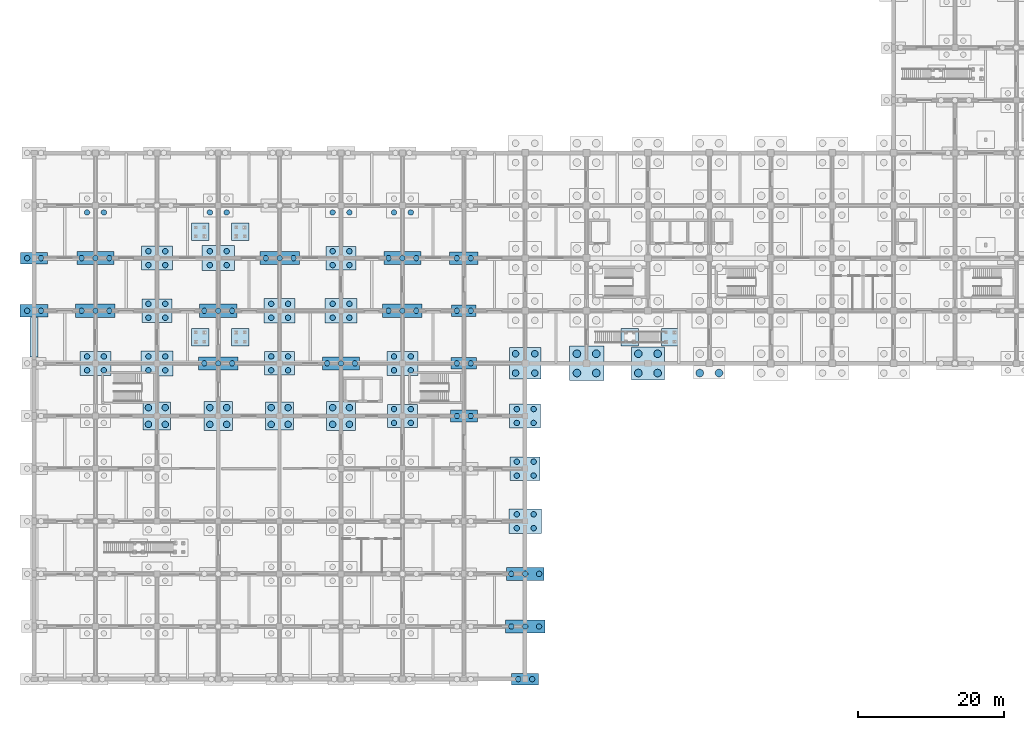
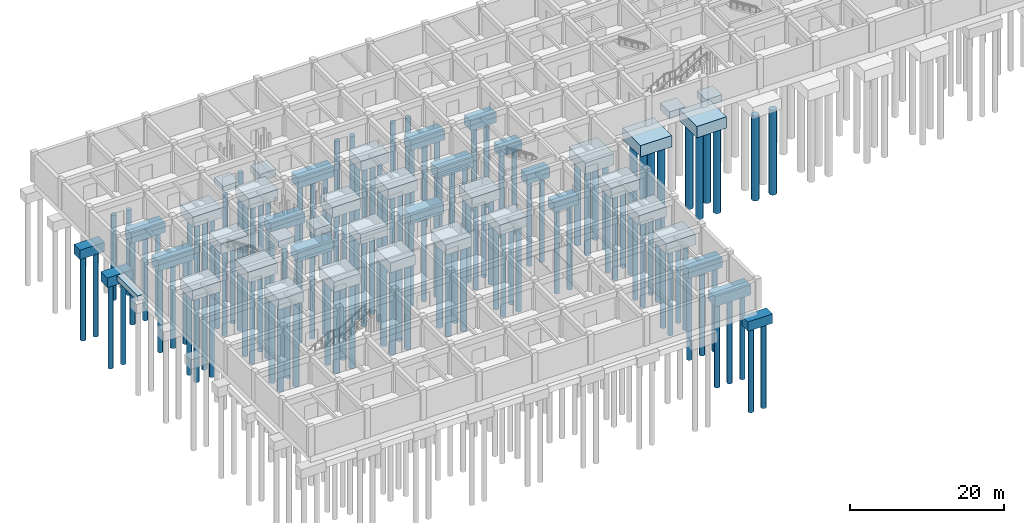
# One storey, part 2 of 38: 138 piles, 45 footings.
"""IFC4 building model written with IfcOpenShell, lengths in metres."""

from ifc_helpers import new_model, si_unit, derived_unit, direction, frame, origin, origin_2d, place, context, subcontext, project, spatial, rectangle, circle, extrude, material, material_profile, profile_set, type_object, element, save


model = new_model("IFC4")

# Units and contexts
model_context = context("Model", 3, precision=1e-05, world=origin(), true_north=direction((0.0, 1.0)))
body_context = subcontext(model_context, "Body", "Model", "MODEL_VIEW")
ifc_project = project(units=[si_unit("LENGTHUNIT", "METRE"), si_unit("AREAUNIT", "SQUARE_METRE"), si_unit("VOLUMEUNIT", "CUBIC_METRE"), si_unit("PLANEANGLEUNIT", "RADIAN"), si_unit("MASSUNIT", "GRAM", prefix="KILO"), derived_unit("THERMALTRANSMITTANCEUNIT", [(si_unit("MASSUNIT", "GRAM", prefix="KILO"), 1), (si_unit("TIMEUNIT", "SECOND"), -3), (si_unit("THERMODYNAMICTEMPERATUREUNIT", "KELVIN"), -1)])], contexts=[model_context])

# Site, building, storey
site_placement = place(None, origin())
site = spatial("IfcSite", under=ifc_project, at=site_placement, CompositionType="ELEMENT")
building_placement = place(site_placement, origin())
building = spatial("IfcBuilding", under=site, at=building_placement, Name="Veldstrom Oceanarium and Marine Research Institute", CompositionType="ELEMENT")
storey_placement = place(building_placement, frame((0.0, 0.0, -9.60009765625)))
storey = spatial("IfcBuildingStorey", under=building, at=storey_placement, Name="B02", CompositionType="ELEMENT", Elevation=-9.60009765625)

# Footings
ifc_material_1 = material(Name="Concrete C40/50", Category="concrete")
footing_type_1 = type_object("IfcFootingType", Name="STR-FTG-PC01", PredefinedType="PILE_CAP", material=ifc_material_1)
footing_1_placement = place(storey_placement, frame((75.60009765625, 43.199951171875, -3.0), z_axis=(0.0, 0.0, 1.0), x_axis=(1.0, 0.0, 0.0)))
element("IfcFooting", 1, at=footing_1_placement, inside=storey, type_object=footing_type_1, Name="Pile Cap PC01 10/G", PredefinedType="PILE_CAP", context=body_context, shape_type="SweptSolid", body=[
    extrude(rectangle(XDim=4.699951171875, YDim=4.699951171875, at=origin_2d()), origin(), (0.0, 0.0, 1.0), 1.800048828125),
])
ifc_material_2 = material(Name="Concrete C40/50", Category="concrete")
footing_type_2 = type_object("IfcFootingType", Name="STR-FTG-PC02", PredefinedType="PILE_CAP", material=ifc_material_2)
footing_2_placement = place(storey_placement, frame((84.0, 43.199951171875, -3.0), z_axis=(0.0, 0.0, 1.0), x_axis=(1.0, 0.0, 0.0)))
element("IfcFooting", 2, at=footing_2_placement, inside=storey, type_object=footing_type_2, Name="Pile Cap PC02 11/G", PredefinedType="PILE_CAP", context=body_context, shape_type="SweptSolid", body=[
    extrude(rectangle(XDim=4.5, YDim=4.5, at=origin_2d()), origin(), (0.0, 0.0, 1.0), 1.800048828125),
])
ifc_material_3 = material(Name="Concrete C40/50", Category="concrete")
footing_type_3 = type_object("IfcFootingType", Name="STR-FTG-PC03", PredefinedType="PILE_CAP", material=ifc_material_3)
footing_3_placement = place(storey_placement, frame((67.199951171875, 43.199951171875, -3.0), z_axis=(0.0, 0.0, 1.0), x_axis=(1.0, 0.0, 0.0)))
element("IfcFooting", 3, at=footing_3_placement, inside=storey, type_object=footing_type_3, Name="Pile Cap PC03 9/G", PredefinedType="PILE_CAP", context=body_context, shape_type="SweptSolid", body=[
    extrude(rectangle(XDim=4.300048828125, YDim=4.300048828125, at=origin_2d()), origin(), (0.0, 0.0, 1.0), 1.800048828125),
])
ifc_material_4 = material(Name="Concrete C40/50", Category="concrete")
footing_type_4 = type_object("IfcFootingType", Name="STR-FTG-PC04", PredefinedType="PILE_CAP", material=ifc_material_4)
for number, where, z_axis, x_axis, name in (
    (4, (25.199951171875, 36.0, -2.849853515625), (0.0, 0.0, 1.0), (1.0, 0.0, 0.0), "Pile Cap PC04 4/F"),
    (5, (42.0, 36.0, -2.849853515625), (0.0, 0.0, 1.0), (1.0, 0.0, 0.0), "Pile Cap PC04 6/F"),
):
    element("IfcFooting", number, at=place(storey_placement, frame(where, z_axis=z_axis, x_axis=x_axis)), inside=storey, type_object=footing_type_4, Name=name, PredefinedType="PILE_CAP", context=body_context, shape_type="SweptSolid", body=[
        extrude(rectangle(XDim=3.949951171875, YDim=3.949951171875, at=origin_2d()), origin(), (0.0, 0.0, 1.0), 1.64990234375),
    ])
ifc_material_5 = material(Name="Concrete C40/50", Category="concrete")
footing_type_5 = type_object("IfcFootingType", Name="STR-FTG-PC05", PredefinedType="PILE_CAP", material=ifc_material_5)
for number, where, z_axis, x_axis, name in (
    (6, (16.800048828125, 36.0, -2.800048828125), (0.0, 0.0, 1.0), (1.0, 0.0, 0.0), "Pile Cap PC05 3/F"),
    (7, (33.60009765625, 36.0, -2.800048828125), (0.0, 0.0, 1.0), (1.0, 0.0, 0.0), "Pile Cap PC05 5/F"),
):
    element("IfcFooting", number, at=place(storey_placement, frame(where, z_axis=z_axis, x_axis=x_axis)), inside=storey, type_object=footing_type_5, Name=name, PredefinedType="PILE_CAP", context=body_context, shape_type="SweptSolid", body=[
        extrude(rectangle(XDim=3.800048828125, YDim=3.800048828125, at=origin_2d()), origin(), (0.0, 0.0, 1.0), 1.60009765625),
    ])
ifc_material_6 = material(Name="Concrete C40/50", Category="concrete")
footing_type_6 = type_object("IfcFootingType", Name="STR-FTG-PC06", PredefinedType="PILE_CAP", material=ifc_material_6)
for number, where, z_axis, x_axis, name in (
    (8, (8.39990234375, 50.39990234375, -2.800048828125), (0.0, 0.0, 1.0), (1.0, 0.0, 0.0), "Pile Cap PC06 2/H"),
    (9, (25.199951171875, 43.199951171875, -2.800048828125), (0.0, 0.0, 1.0), (1.0, 0.0, 0.0), "Pile Cap PC06 4/G"),
    (10, (33.60009765625, 57.60009765625, -2.800048828125), (0.0, 0.0, 1.0), (1.0, 0.0, 0.0), "Pile Cap PC06 5/J"),
    (11, (50.39990234375, 50.39990234375, -2.800048828125), (0.0, 0.0, 1.0), (1.0, 0.0, 0.0), "Pile Cap PC06 7/H"),
    (12, (67.199951171875, 7.199951171875, -2.800048828125), (0.0, 0.0, 1.0), (1.0, 0.0, 0.0), "Pile Cap PC06 9/B"),
):
    element("IfcFooting", number, at=place(storey_placement, frame(where, z_axis=z_axis, x_axis=x_axis)), inside=storey, type_object=footing_type_6, Name=name, PredefinedType="PILE_CAP", context=body_context, shape_type="SweptSolid", body=[
        extrude(rectangle(XDim=5.39990234375, YDim=1.800048828125, at=origin_2d()), origin(), (0.0, 0.0, 1.0), 1.60009765625),
    ])
ifc_material_7 = material(Name="Concrete C40/50", Category="concrete")
footing_type_7 = type_object("IfcFootingType", Name="STR-FTG-PC07", PredefinedType="PILE_CAP", material=ifc_material_7)
for number, where, z_axis, x_axis, name in (
    (13, (8.39990234375, 57.60009765625, -2.75), (0.0, 0.0, 1.0), (1.0, 0.0, 0.0), "Pile Cap PC07 2/J"),
    (14, (25.199951171875, 50.39990234375, -2.75), (0.0, 0.0, 1.0), (1.0, 0.0, 0.0), "Pile Cap PC07 4/H"),
    (15, (42.0, 43.199951171875, -2.75), (0.0, 0.0, 1.0), (1.0, 0.0, 0.0), "Pile Cap PC07 6/G"),
    (16, (50.39990234375, 57.60009765625, -2.75), (0.0, 0.0, 1.0), (1.0, 0.0, 0.0), "Pile Cap PC07 7/J"),
    (17, (67.199951171875, 14.39990234375, -2.75), (0.0, 0.0, 1.0), (1.0, 0.0, 0.0), "Pile Cap PC07 9/C"),
):
    element("IfcFooting", number, at=place(storey_placement, frame(where, z_axis=z_axis, x_axis=x_axis)), inside=storey, type_object=footing_type_7, Name=name, PredefinedType="PILE_CAP", context=body_context, shape_type="SweptSolid", body=[
        extrude(rectangle(XDim=5.10009765625, YDim=1.800048828125, at=origin_2d()), origin(), (0.0, 0.0, 1.0), 1.550048828125),
    ])
ifc_material_8 = material(Name="Concrete C40/50", Category="concrete")
footing_type_8 = type_object("IfcFootingType", Name="STR-FTG-PC08", PredefinedType="PILE_CAP", material=ifc_material_8)
for number, where, z_axis, x_axis, name in (
    (18, (0.0, 57.60009765625, -2.699951171875), (0.0, 0.0, 1.0), (1.0, 0.0, 0.0), "Pile Cap PC08 1/J"),
    (19, (58.800048828125, 36.0, -2.699951171875), (0.0, 0.0, 1.0), (1.0, 0.0, 0.0), "Pile Cap PC08 8/F"),
    (20, (67.199951171875, 0.0, -2.699951171875), (0.0, 0.0, 1.0), (1.0, 0.0, 0.0), "Pile Cap PC08 9/A"),
):
    element("IfcFooting", number, at=place(storey_placement, frame(where, z_axis=z_axis, x_axis=x_axis)), inside=storey, type_object=footing_type_8, Name=name, PredefinedType="PILE_CAP", context=body_context, shape_type="SweptSolid", body=[
        extrude(rectangle(XDim=3.699951171875, YDim=1.60009765625, at=origin_2d()), origin(), (0.0, 0.0, 1.0), 1.5),
    ])
ifc_material_9 = material(Name="Concrete C40/50", Category="concrete")
footing_type_9 = type_object("IfcFootingType", Name="STR-FTG-PC09", PredefinedType="PILE_CAP", material=ifc_material_9)
footing_4_placement = place(storey_placement, frame((58.800048828125, 43.199951171875, -2.699951171875), z_axis=(0.0, 0.0, 1.0), x_axis=(1.0, 0.0, 0.0)))
element("IfcFooting", 21, at=footing_4_placement, inside=storey, type_object=footing_type_9, Name="Pile Cap PC09 8/G", PredefinedType="PILE_CAP", context=body_context, shape_type="SweptSolid", body=[
    extrude(rectangle(XDim=3.5, YDim=1.60009765625, at=origin_2d()), origin(), (0.0, 0.0, 1.0), 1.5),
])
ifc_material_10 = material(Name="Concrete C40/50", Category="concrete")
footing_type_10 = type_object("IfcFootingType", Name="STR-FTG-PC10", PredefinedType="PILE_CAP", material=ifc_material_10)
footing_5_placement = place(storey_placement, frame((58.800048828125, 50.39990234375, -2.64990234375), z_axis=(0.0, 0.0, 1.0), x_axis=(1.0, 0.0, 0.0)))
element("IfcFooting", 22, at=footing_5_placement, inside=storey, type_object=footing_type_10, Name="Pile Cap PC10 8/H", PredefinedType="PILE_CAP", context=body_context, shape_type="SweptSolid", body=[
    extrude(rectangle(XDim=3.300048828125, YDim=1.60009765625, at=origin_2d()), origin(), (0.0, 0.0, 1.0), 1.449951171875),
])
ifc_material_11 = material(Name="Concrete C40/50", Category="concrete")
footing_type_11 = type_object("IfcFootingType", Name="STR-FTG-PC11", PredefinedType="PILE_CAP", material=ifc_material_11)
for number, where, z_axis, x_axis, name in (
    (23, (16.800048828125, 43.199951171875, -2.89990234375), (0.0, 0.0, 1.0), (1.0, 0.0, 0.0), "Pile Cap PC11 3/G"),
    (24, (25.199951171875, 57.60009765625, -2.89990234375), (0.0, 0.0, 1.0), (1.0, 0.0, 0.0), "Pile Cap PC11 4/J"),
    (25, (42.0, 50.39990234375, -2.89990234375), (0.0, 0.0, 1.0), (1.0, 0.0, 0.0), "Pile Cap PC11 6/H"),
    (26, (67.199951171875, 21.60009765625, -2.89990234375), (0.0, 0.0, 1.0), (1.0, 0.0, 0.0), "Pile Cap PC11 9/D"),
):
    element("IfcFooting", number, at=place(storey_placement, frame(where, z_axis=z_axis, x_axis=x_axis)), inside=storey, type_object=footing_type_11, Name=name, PredefinedType="PILE_CAP", context=body_context, shape_type="SweptSolid", body=[
        extrude(rectangle(XDim=4.39990234375, YDim=3.39990234375, at=origin_2d()), origin(), (0.0, 0.0, 1.0), 1.699951171875),
    ])
ifc_material_12 = material(Name="Concrete C40/50", Category="concrete")
footing_type_12 = type_object("IfcFootingType", Name="STR-FTG-PC12", PredefinedType="PILE_CAP", material=ifc_material_12)
for number, where, z_axis, x_axis, name in (
    (27, (16.800048828125, 50.39990234375, -2.800048828125), (0.0, 0.0, 1.0), (1.0, 0.0, 0.0), "Pile Cap PC12 3/H"),
    (28, (33.60009765625, 43.199951171875, -2.800048828125), (0.0, 0.0, 1.0), (1.0, 0.0, 0.0), "Pile Cap PC12 5/G"),
    (29, (42.0, 57.60009765625, -2.800048828125), (0.0, 0.0, 1.0), (1.0, 0.0, 0.0), "Pile Cap PC12 6/J"),
    (30, (50.39990234375, 36.0, -2.800048828125), (0.0, 0.0, 1.0), (1.0, 0.0, 0.0), "Pile Cap PC12 7/F"),
    (31, (67.199951171875, 28.800048828125, -2.800048828125), (0.0, 0.0, 1.0), (1.0, 0.0, 0.0), "Pile Cap PC12 9/E"),
):
    element("IfcFooting", number, at=place(storey_placement, frame(where, z_axis=z_axis, x_axis=x_axis)), inside=storey, type_object=footing_type_12, Name=name, PredefinedType="PILE_CAP", context=body_context, shape_type="SweptSolid", body=[
        extrude(rectangle(XDim=4.10009765625, YDim=3.199951171875, at=origin_2d()), origin(), (0.0, 0.0, 1.0), 1.60009765625),
    ])
ifc_material_13 = material(Name="Concrete C40/50", Category="concrete")
footing_type_13 = type_object("IfcFootingType", Name="STR-FTG-PC13", PredefinedType="PILE_CAP", material=ifc_material_13)
for number, where, z_axis, x_axis, name in (
    (32, (8.39990234375, 43.199951171875, -2.849853515625), (0.0, 0.0, 1.0), (1.0, 0.0, 0.0), "Pile Cap PC13 2/G"),
    (33, (16.800048828125, 57.60009765625, -2.849853515625), (0.0, 0.0, 1.0), (1.0, 0.0, 0.0), "Pile Cap PC13 3/J"),
    (34, (33.60009765625, 50.39990234375, -2.849853515625), (0.0, 0.0, 1.0), (1.0, 0.0, 0.0), "Pile Cap PC13 5/H"),
    (35, (50.39990234375, 43.199951171875, -2.849853515625), (0.0, 0.0, 1.0), (1.0, 0.0, 0.0), "Pile Cap PC13 7/G"),
    (36, (67.199951171875, 36.0, -2.849853515625), (0.0, 0.0, 1.0), (1.0, 0.0, 0.0), "Pile Cap PC13 9/F"),
):
    element("IfcFooting", number, at=place(storey_placement, frame(where, z_axis=z_axis, x_axis=x_axis)), inside=storey, type_object=footing_type_13, Name=name, PredefinedType="PILE_CAP", context=body_context, shape_type="SweptSolid", body=[
        extrude(rectangle(XDim=4.25, YDim=3.300048828125, at=origin_2d()), origin(), (0.0, 0.0, 1.0), 1.64990234375),
    ])
ifc_material_14 = material(Name="Concrete C40/50", Category="concrete")
footing_type_14 = type_object("IfcFootingType", Name="STR-FTG-PC14", PredefinedType="PILE_CAP", material=ifc_material_14)
for number, where, z_axis, x_axis, name in (
    (37, (0.0, 50.39990234375, -2.75), (0.0, 0.0, 1.0), (1.0, 0.0, 0.0), "Pile Cap PC14 1/H"),
    (38, (58.800048828125, 57.60009765625, -2.75), (0.0, 0.0, 1.0), (1.0, 0.0, 0.0), "Pile Cap PC14 8/J"),
):
    element("IfcFooting", number, at=place(storey_placement, frame(where, z_axis=z_axis, x_axis=x_axis)), inside=storey, type_object=footing_type_14, Name=name, PredefinedType="PILE_CAP", context=body_context, shape_type="SweptSolid", body=[
        extrude(rectangle(XDim=3.85009765625, YDim=1.699951171875, at=origin_2d()), origin(), (0.0, 0.0, 1.0), 1.550048828125),
    ])
ifc_material_15 = material(Name="Concrete C40/50", Category="concrete")
footing_type_15 = type_object("IfcFootingType", Name="STR-FTG-PF01", PredefinedType="PAD_FOOTING", material=ifc_material_15)
for number, where, z_axis, x_axis, name in (
    (39, (81.52001953125, 46.800048828125, -2.300048828125), (0.0, 0.0, 1.0), (1.0, 0.0, 0.0), "Gallery Stair MID Footing PF01-GS2"),
    (40, (87.0400390625, 46.800048828125, -2.300048828125), (0.0, 0.0, 1.0), (1.0, 0.0, 0.0), "Gallery Stair TOP Footing PF01-GS2"),
    (41, (22.719970703125, 46.800048828125, -2.300048828125), (0.0, 0.0, 1.0), (1.0, 0.0, 0.0), "Gallery Stair MID Footing PF01-GS4"),
    (42, (28.239990234375, 46.800048828125, -2.300048828125), (0.0, 0.0, 1.0), (1.0, 0.0, 0.0), "Gallery Stair TOP Footing PF01-GS4"),
    (43, (22.719970703125, 61.199951171875, -2.300048828125), (0.0, 0.0, 1.0), (1.0, 0.0, 0.0), "Gallery Stair MID Footing PF01-GS5"),
    (44, (28.239990234375, 61.199951171875, -2.300048828125), (0.0, 0.0, 1.0), (1.0, 0.0, 0.0), "Gallery Stair TOP Footing PF01-GS5"),
):
    element("IfcFooting", number, at=place(storey_placement, frame(where, z_axis=z_axis, x_axis=x_axis)), inside=storey, type_object=footing_type_15, Name=name, PredefinedType="PAD_FOOTING", context=body_context, shape_type="SweptSolid", body=[
        extrude(rectangle(XDim=2.39990234375, YDim=2.39990234375, at=origin_2d()), origin(), (0.0, 0.0, 1.0), 1.10009765625),
    ])
ifc_material_16 = material(Name="Concrete C40/50", Category="concrete")
footing_type_16 = type_object("IfcFootingType", Name="STR-FTG-SF04", PredefinedType="STRIP_FOOTING", material=ifc_material_16)
footing_6_placement = place(storey_placement, frame((0.0, 46.77490234375, -2.050048828125), z_axis=(0.0, 0.0, 1.0), x_axis=(0.0, 1.0, 0.0)))
element("IfcFooting", 45, at=footing_6_placement, inside=storey, type_object=footing_type_16, Name="Continuous Wall Strip Footing SF04-16", PredefinedType="STRIP_FOOTING", context=body_context, shape_type="SweptSolid", body=[
    extrude(rectangle(XDim=5.429931640625, YDim=1.10009765625, at=origin_2d()), origin(), (0.0, 0.0, 1.0), 0.85009765625),
])

# Piles
ifc_material_17 = material(Name="Concrete C40/50", Category="concrete")
ifc_material_profile_1 = material_profile(ifc_material_17, circle(Radius=0.375, at=origin_2d()), Name="PILE-D750")
ifc_profile_set_1 = profile_set([ifc_material_profile_1], Name="Concrete C40/50")
pile_type_1 = type_object("IfcPileType", Name="STR-PILE-PL1", PredefinedType="BORED", material=ifc_profile_set_1)
for number, where, z_axis, x_axis, name in (
    (46, (-0.949951171875, 50.39990234375, -2.75), (0.0, 0.0, -1.0), (1.0, 0.0, 0.0), "Bored Pile PL1-015"),
    (47, (0.949951171875, 50.39990234375, -2.75), (0.0, 0.0, -1.0), (1.0, 0.0, 0.0), "Bored Pile PL1-016"),
    (48, (-0.949951171875, 57.60009765625, -2.699951171875), (0.0, 0.0, -1.0), (1.0, 0.0, 0.0), "Bored Pile PL1-017"),
    (49, (0.949951171875, 57.60009765625, -2.699951171875), (0.0, 0.0, -1.0), (1.0, 0.0, 0.0), "Bored Pile PL1-018"),
    (50, (7.25, 42.25, -2.849853515625), (0.0, 0.0, -1.0), (1.0, 0.0, 0.0), "Bored Pile PL1-043"),
    (51, (9.550048828125, 42.25, -2.849853515625), (0.0, 0.0, -1.0), (1.0, 0.0, 0.0), "Bored Pile PL1-044"),
    (52, (7.25, 44.14990234375, -2.849853515625), (0.0, 0.0, -1.0), (1.0, 0.0, 0.0), "Bored Pile PL1-045"),
    (53, (9.550048828125, 44.14990234375, -2.849853515625), (0.0, 0.0, -1.0), (1.0, 0.0, 0.0), "Bored Pile PL1-046"),
    (54, (6.5, 50.39990234375, -2.7998046875), (0.0, 0.0, -1.0), (1.0, 0.0, 0.0), "Bored Pile PL1-047"),
    (55, (8.39990234375, 50.39990234375, -2.7998046875), (0.0, 0.0, -1.0), (1.0, 0.0, 0.0), "Bored Pile PL1-048"),
    (56, (10.300048828125, 50.39990234375, -2.7998046875), (0.0, 0.0, -1.0), (1.0, 0.0, 0.0), "Bored Pile PL1-049"),
    (57, (6.5, 57.60009765625, -2.75), (0.0, 0.0, -1.0), (1.0, 0.0, 0.0), "Bored Pile PL1-050"),
    (58, (8.39990234375, 57.60009765625, -2.75), (0.0, 0.0, -1.0), (1.0, 0.0, 0.0), "Bored Pile PL1-051"),
    (59, (10.300048828125, 57.60009765625, -2.75), (0.0, 0.0, -1.0), (1.0, 0.0, 0.0), "Bored Pile PL1-052"),
    (60, (7.25, 63.85009765625, -2.89990234375), (0.0, 0.0, -1.0), (1.0, 0.0, 0.0), "Bored Pile PL1-053"),
    (61, (9.550048828125, 63.85009765625, -2.89990234375), (0.0, 0.0, -1.0), (1.0, 0.0, 0.0), "Bored Pile PL1-054"),
    (62, (15.64990234375, 42.25, -2.89990234375), (0.0, 0.0, -1.0), (1.0, 0.0, 0.0), "Bored Pile PL1-081"),
    (63, (17.949951171875, 42.25, -2.89990234375), (0.0, 0.0, -1.0), (1.0, 0.0, 0.0), "Bored Pile PL1-082"),
    (64, (15.64990234375, 44.14990234375, -2.89990234375), (0.0, 0.0, -1.0), (1.0, 0.0, 0.0), "Bored Pile PL1-083"),
    (65, (17.949951171875, 44.14990234375, -2.89990234375), (0.0, 0.0, -1.0), (1.0, 0.0, 0.0), "Bored Pile PL1-084"),
    (66, (15.64990234375, 49.449951171875, -2.7998046875), (0.0, 0.0, -1.0), (1.0, 0.0, 0.0), "Bored Pile PL1-085"),
    (67, (17.949951171875, 49.449951171875, -2.7998046875), (0.0, 0.0, -1.0), (1.0, 0.0, 0.0), "Bored Pile PL1-086"),
    (68, (15.64990234375, 51.35009765625, -2.7998046875), (0.0, 0.0, -1.0), (1.0, 0.0, 0.0), "Bored Pile PL1-087"),
    (69, (17.949951171875, 51.35009765625, -2.7998046875), (0.0, 0.0, -1.0), (1.0, 0.0, 0.0), "Bored Pile PL1-088"),
    (70, (15.64990234375, 56.64990234375, -2.849853515625), (0.0, 0.0, -1.0), (1.0, 0.0, 0.0), "Bored Pile PL1-089"),
    (71, (17.949951171875, 56.64990234375, -2.849853515625), (0.0, 0.0, -1.0), (1.0, 0.0, 0.0), "Bored Pile PL1-090"),
    (72, (15.64990234375, 58.550048828125, -2.849853515625), (0.0, 0.0, -1.0), (1.0, 0.0, 0.0), "Bored Pile PL1-091"),
    (73, (17.949951171875, 58.550048828125, -2.849853515625), (0.0, 0.0, -1.0), (1.0, 0.0, 0.0), "Bored Pile PL1-092"),
    (74, (23.300048828125, 43.199951171875, -2.7998046875), (0.0, 0.0, -1.0), (1.0, 0.0, 0.0), "Bored Pile PL1-114"),
    (75, (25.199951171875, 43.199951171875, -2.7998046875), (0.0, 0.0, -1.0), (1.0, 0.0, 0.0), "Bored Pile PL1-115"),
    (76, (27.10009765625, 43.199951171875, -2.7998046875), (0.0, 0.0, -1.0), (1.0, 0.0, 0.0), "Bored Pile PL1-116"),
    (77, (23.300048828125, 50.39990234375, -2.75), (0.0, 0.0, -1.0), (1.0, 0.0, 0.0), "Bored Pile PL1-117"),
    (78, (25.199951171875, 50.39990234375, -2.75), (0.0, 0.0, -1.0), (1.0, 0.0, 0.0), "Bored Pile PL1-118"),
    (79, (27.10009765625, 50.39990234375, -2.75), (0.0, 0.0, -1.0), (1.0, 0.0, 0.0), "Bored Pile PL1-119"),
    (80, (24.050048828125, 56.64990234375, -2.89990234375), (0.0, 0.0, -1.0), (1.0, 0.0, 0.0), "Bored Pile PL1-120"),
    (81, (26.35009765625, 56.64990234375, -2.89990234375), (0.0, 0.0, -1.0), (1.0, 0.0, 0.0), "Bored Pile PL1-121"),
    (82, (24.050048828125, 58.550048828125, -2.89990234375), (0.0, 0.0, -1.0), (1.0, 0.0, 0.0), "Bored Pile PL1-122"),
    (83, (26.35009765625, 58.550048828125, -2.89990234375), (0.0, 0.0, -1.0), (1.0, 0.0, 0.0), "Bored Pile PL1-123"),
    (84, (24.050048828125, 63.85009765625, -2.7998046875), (0.0, 0.0, -1.0), (1.0, 0.0, 0.0), "Bored Pile PL1-124"),
    (85, (26.35009765625, 63.85009765625, -2.7998046875), (0.0, 0.0, -1.0), (1.0, 0.0, 0.0), "Bored Pile PL1-125"),
    (86, (32.449951171875, 42.25, -2.7998046875), (0.0, 0.0, -1.0), (1.0, 0.0, 0.0), "Bored Pile PL1-148"),
    (87, (34.75, 42.25, -2.7998046875), (0.0, 0.0, -1.0), (1.0, 0.0, 0.0), "Bored Pile PL1-149"),
    (88, (32.449951171875, 44.14990234375, -2.7998046875), (0.0, 0.0, -1.0), (1.0, 0.0, 0.0), "Bored Pile PL1-150"),
    (89, (34.75, 44.14990234375, -2.7998046875), (0.0, 0.0, -1.0), (1.0, 0.0, 0.0), "Bored Pile PL1-151"),
    (90, (32.449951171875, 49.449951171875, -2.849853515625), (0.0, 0.0, -1.0), (1.0, 0.0, 0.0), "Bored Pile PL1-152"),
    (91, (34.75, 49.449951171875, -2.849853515625), (0.0, 0.0, -1.0), (1.0, 0.0, 0.0), "Bored Pile PL1-153"),
    (92, (32.449951171875, 51.35009765625, -2.849853515625), (0.0, 0.0, -1.0), (1.0, 0.0, 0.0), "Bored Pile PL1-154"),
    (93, (34.75, 51.35009765625, -2.849853515625), (0.0, 0.0, -1.0), (1.0, 0.0, 0.0), "Bored Pile PL1-155"),
    (94, (31.699951171875, 57.60009765625, -2.7998046875), (0.0, 0.0, -1.0), (1.0, 0.0, 0.0), "Bored Pile PL1-156"),
    (95, (33.60009765625, 57.60009765625, -2.7998046875), (0.0, 0.0, -1.0), (1.0, 0.0, 0.0), "Bored Pile PL1-157"),
    (96, (35.5, 57.60009765625, -2.7998046875), (0.0, 0.0, -1.0), (1.0, 0.0, 0.0), "Bored Pile PL1-158"),
    (97, (40.10009765625, 43.199951171875, -2.75), (0.0, 0.0, -1.0), (1.0, 0.0, 0.0), "Bored Pile PL1-185"),
    (98, (42.0, 43.199951171875, -2.75), (0.0, 0.0, -1.0), (1.0, 0.0, 0.0), "Bored Pile PL1-186"),
    (99, (43.89990234375, 43.199951171875, -2.75), (0.0, 0.0, -1.0), (1.0, 0.0, 0.0), "Bored Pile PL1-187"),
    (100, (40.85009765625, 49.449951171875, -2.89990234375), (0.0, 0.0, -1.0), (1.0, 0.0, 0.0), "Bored Pile PL1-188"),
    (101, (43.14990234375, 49.449951171875, -2.89990234375), (0.0, 0.0, -1.0), (1.0, 0.0, 0.0), "Bored Pile PL1-189"),
    (102, (40.85009765625, 51.35009765625, -2.89990234375), (0.0, 0.0, -1.0), (1.0, 0.0, 0.0), "Bored Pile PL1-190"),
    (103, (43.14990234375, 51.35009765625, -2.89990234375), (0.0, 0.0, -1.0), (1.0, 0.0, 0.0), "Bored Pile PL1-191"),
    (104, (40.85009765625, 56.64990234375, -2.7998046875), (0.0, 0.0, -1.0), (1.0, 0.0, 0.0), "Bored Pile PL1-192"),
    (105, (43.14990234375, 56.64990234375, -2.7998046875), (0.0, 0.0, -1.0), (1.0, 0.0, 0.0), "Bored Pile PL1-193"),
    (106, (40.85009765625, 58.550048828125, -2.7998046875), (0.0, 0.0, -1.0), (1.0, 0.0, 0.0), "Bored Pile PL1-194"),
    (107, (43.14990234375, 58.550048828125, -2.7998046875), (0.0, 0.0, -1.0), (1.0, 0.0, 0.0), "Bored Pile PL1-195"),
    (108, (40.85009765625, 63.85009765625, -2.849853515625), (0.0, 0.0, -1.0), (1.0, 0.0, 0.0), "Bored Pile PL1-196"),
    (109, (43.14990234375, 63.85009765625, -2.849853515625), (0.0, 0.0, -1.0), (1.0, 0.0, 0.0), "Bored Pile PL1-197"),
    (110, (49.25, 35.050048828125, -2.7998046875), (0.0, 0.0, -1.0), (1.0, 0.0, 0.0), "Bored Pile PL1-218"),
    (111, (51.550048828125, 35.050048828125, -2.7998046875), (0.0, 0.0, -1.0), (1.0, 0.0, 0.0), "Bored Pile PL1-219"),
    (112, (49.25, 36.949951171875, -2.7998046875), (0.0, 0.0, -1.0), (1.0, 0.0, 0.0), "Bored Pile PL1-220"),
    (113, (51.550048828125, 36.949951171875, -2.7998046875), (0.0, 0.0, -1.0), (1.0, 0.0, 0.0), "Bored Pile PL1-221"),
    (114, (49.25, 42.25, -2.849853515625), (0.0, 0.0, -1.0), (1.0, 0.0, 0.0), "Bored Pile PL1-222"),
    (115, (51.550048828125, 42.25, -2.849853515625), (0.0, 0.0, -1.0), (1.0, 0.0, 0.0), "Bored Pile PL1-223"),
    (116, (49.25, 44.14990234375, -2.849853515625), (0.0, 0.0, -1.0), (1.0, 0.0, 0.0), "Bored Pile PL1-224"),
    (117, (51.550048828125, 44.14990234375, -2.849853515625), (0.0, 0.0, -1.0), (1.0, 0.0, 0.0), "Bored Pile PL1-225"),
    (118, (48.5, 50.39990234375, -2.7998046875), (0.0, 0.0, -1.0), (1.0, 0.0, 0.0), "Bored Pile PL1-226"),
    (119, (50.39990234375, 50.39990234375, -2.7998046875), (0.0, 0.0, -1.0), (1.0, 0.0, 0.0), "Bored Pile PL1-227"),
    (120, (52.300048828125, 50.39990234375, -2.7998046875), (0.0, 0.0, -1.0), (1.0, 0.0, 0.0), "Bored Pile PL1-228"),
    (121, (48.5, 57.60009765625, -2.75), (0.0, 0.0, -1.0), (1.0, 0.0, 0.0), "Bored Pile PL1-229"),
    (122, (50.39990234375, 57.60009765625, -2.75), (0.0, 0.0, -1.0), (1.0, 0.0, 0.0), "Bored Pile PL1-230"),
    (123, (52.300048828125, 57.60009765625, -2.75), (0.0, 0.0, -1.0), (1.0, 0.0, 0.0), "Bored Pile PL1-231"),
    (124, (49.25, 63.85009765625, -2.89990234375), (0.0, 0.0, -1.0), (1.0, 0.0, 0.0), "Bored Pile PL1-232"),
    (125, (51.550048828125, 63.85009765625, -2.89990234375), (0.0, 0.0, -1.0), (1.0, 0.0, 0.0), "Bored Pile PL1-233"),
    (126, (57.85009765625, 36.0, -2.699951171875), (0.0, 0.0, -1.0), (1.0, 0.0, 0.0), "Bored Pile PL1-248"),
    (127, (59.75, 36.0, -2.699951171875), (0.0, 0.0, -1.0), (1.0, 0.0, 0.0), "Bored Pile PL1-249"),
    (128, (57.85009765625, 43.199951171875, -2.699951171875), (0.0, 0.0, -1.0), (1.0, 0.0, 0.0), "Bored Pile PL1-250"),
    (129, (59.75, 43.199951171875, -2.699951171875), (0.0, 0.0, -1.0), (1.0, 0.0, 0.0), "Bored Pile PL1-251"),
    (130, (57.85009765625, 50.39990234375, -2.64990234375), (0.0, 0.0, -1.0), (1.0, 0.0, 0.0), "Bored Pile PL1-252"),
    (131, (59.75, 50.39990234375, -2.64990234375), (0.0, 0.0, -1.0), (1.0, 0.0, 0.0), "Bored Pile PL1-253"),
    (132, (57.85009765625, 57.60009765625, -2.75), (0.0, 0.0, -1.0), (1.0, 0.0, 0.0), "Bored Pile PL1-254"),
    (133, (59.75, 57.60009765625, -2.75), (0.0, 0.0, -1.0), (1.0, 0.0, 0.0), "Bored Pile PL1-255"),
    (134, (66.25, 0.0, -2.699951171875), (0.0, 0.0, -1.0), (1.0, 0.0, 0.0), "Bored Pile PL1-260"),
    (135, (68.14990234375, 0.0, -2.699951171875), (0.0, 0.0, -1.0), (1.0, 0.0, 0.0), "Bored Pile PL1-261"),
    (136, (65.300048828125, 7.199951171875, -2.7998046875), (0.0, 0.0, -1.0), (1.0, 0.0, 0.0), "Bored Pile PL1-262"),
    (137, (67.199951171875, 7.199951171875, -2.7998046875), (0.0, 0.0, -1.0), (1.0, 0.0, 0.0), "Bored Pile PL1-263"),
    (138, (69.10009765625, 7.199951171875, -2.7998046875), (0.0, 0.0, -1.0), (1.0, 0.0, 0.0), "Bored Pile PL1-264"),
    (139, (65.300048828125, 14.39990234375, -2.75), (0.0, 0.0, -1.0), (1.0, 0.0, 0.0), "Bored Pile PL1-265"),
    (140, (67.199951171875, 14.39990234375, -2.75), (0.0, 0.0, -1.0), (1.0, 0.0, 0.0), "Bored Pile PL1-266"),
    (141, (69.10009765625, 14.39990234375, -2.75), (0.0, 0.0, -1.0), (1.0, 0.0, 0.0), "Bored Pile PL1-267"),
    (142, (66.050048828125, 20.64990234375, -2.89990234375), (0.0, 0.0, -1.0), (1.0, 0.0, 0.0), "Bored Pile PL1-268"),
    (143, (68.35009765625, 20.64990234375, -2.89990234375), (0.0, 0.0, -1.0), (1.0, 0.0, 0.0), "Bored Pile PL1-269"),
    (144, (66.050048828125, 22.550048828125, -2.89990234375), (0.0, 0.0, -1.0), (1.0, 0.0, 0.0), "Bored Pile PL1-270"),
    (145, (68.35009765625, 22.550048828125, -2.89990234375), (0.0, 0.0, -1.0), (1.0, 0.0, 0.0), "Bored Pile PL1-271"),
    (146, (66.050048828125, 27.85009765625, -2.7998046875), (0.0, 0.0, -1.0), (1.0, 0.0, 0.0), "Bored Pile PL1-272"),
    (147, (68.35009765625, 27.85009765625, -2.7998046875), (0.0, 0.0, -1.0), (1.0, 0.0, 0.0), "Bored Pile PL1-273"),
    (148, (66.050048828125, 29.75, -2.7998046875), (0.0, 0.0, -1.0), (1.0, 0.0, 0.0), "Bored Pile PL1-274"),
    (149, (68.35009765625, 29.75, -2.7998046875), (0.0, 0.0, -1.0), (1.0, 0.0, 0.0), "Bored Pile PL1-275"),
    (150, (66.050048828125, 35.050048828125, -2.849853515625), (0.0, 0.0, -1.0), (1.0, 0.0, 0.0), "Bored Pile PL1-276"),
    (151, (68.35009765625, 35.050048828125, -2.849853515625), (0.0, 0.0, -1.0), (1.0, 0.0, 0.0), "Bored Pile PL1-277"),
    (152, (66.050048828125, 36.949951171875, -2.849853515625), (0.0, 0.0, -1.0), (1.0, 0.0, 0.0), "Bored Pile PL1-278"),
    (153, (68.35009765625, 36.949951171875, -2.849853515625), (0.0, 0.0, -1.0), (1.0, 0.0, 0.0), "Bored Pile PL1-279"),
):
    element("IfcPile", number, at=place(storey_placement, frame(where, z_axis=z_axis, x_axis=x_axis)), inside=storey, type_object=pile_type_1, Name=name, PredefinedType="BORED", context=body_context, shape_type="SweptSolid", body=[
        extrude(circle(Radius=0.375, at=origin_2d()), origin(), (0.0, 0.0, 1.0), 13.5),
    ])
ifc_material_18 = material(Name="Concrete C40/50", Category="concrete")
ifc_material_profile_2 = material_profile(ifc_material_18, circle(Radius=0.449951171875, at=origin_2d()), Name="PILE-D900")
ifc_profile_set_2 = profile_set([ifc_material_profile_2], Name="Concrete C40/50")
pile_type_2 = type_object("IfcPileType", Name="STR-PILE-PL2", PredefinedType="BORED", material=ifc_profile_set_2)
for number, where, z_axis, x_axis, name in (
    (154, (15.64990234375, 34.85009765625, -2.7998046875), (0.0, 0.0, -1.0), (1.0, 0.0, 0.0), "Bored Pile PL2-077"),
    (155, (17.949951171875, 34.85009765625, -2.7998046875), (0.0, 0.0, -1.0), (1.0, 0.0, 0.0), "Bored Pile PL2-078"),
    (156, (15.64990234375, 37.14990234375, -2.7998046875), (0.0, 0.0, -1.0), (1.0, 0.0, 0.0), "Bored Pile PL2-079"),
    (157, (17.949951171875, 37.14990234375, -2.7998046875), (0.0, 0.0, -1.0), (1.0, 0.0, 0.0), "Bored Pile PL2-080"),
    (158, (24.050048828125, 34.85009765625, -2.849853515625), (0.0, 0.0, -1.0), (1.0, 0.0, 0.0), "Bored Pile PL2-110"),
    (159, (26.35009765625, 34.85009765625, -2.849853515625), (0.0, 0.0, -1.0), (1.0, 0.0, 0.0), "Bored Pile PL2-111"),
    (160, (24.050048828125, 37.14990234375, -2.849853515625), (0.0, 0.0, -1.0), (1.0, 0.0, 0.0), "Bored Pile PL2-112"),
    (161, (26.35009765625, 37.14990234375, -2.849853515625), (0.0, 0.0, -1.0), (1.0, 0.0, 0.0), "Bored Pile PL2-113"),
    (162, (32.449951171875, 34.85009765625, -2.7998046875), (0.0, 0.0, -1.0), (1.0, 0.0, 0.0), "Bored Pile PL2-144"),
    (163, (34.75, 34.85009765625, -2.7998046875), (0.0, 0.0, -1.0), (1.0, 0.0, 0.0), "Bored Pile PL2-145"),
    (164, (32.449951171875, 37.14990234375, -2.7998046875), (0.0, 0.0, -1.0), (1.0, 0.0, 0.0), "Bored Pile PL2-146"),
    (165, (34.75, 37.14990234375, -2.7998046875), (0.0, 0.0, -1.0), (1.0, 0.0, 0.0), "Bored Pile PL2-147"),
    (166, (40.85009765625, 34.85009765625, -2.849853515625), (0.0, 0.0, -1.0), (1.0, 0.0, 0.0), "Bored Pile PL2-181"),
    (167, (43.14990234375, 34.85009765625, -2.849853515625), (0.0, 0.0, -1.0), (1.0, 0.0, 0.0), "Bored Pile PL2-182"),
    (168, (40.85009765625, 37.14990234375, -2.849853515625), (0.0, 0.0, -1.0), (1.0, 0.0, 0.0), "Bored Pile PL2-183"),
    (169, (43.14990234375, 37.14990234375, -2.849853515625), (0.0, 0.0, -1.0), (1.0, 0.0, 0.0), "Bored Pile PL2-184"),
    (170, (65.8798828125, 41.8798828125, -3.0), (0.0, 0.0, -1.0), (1.0, 0.0, 0.0), "Bored Pile PL2-280"),
    (171, (68.52001953125, 41.8798828125, -3.0), (0.0, 0.0, -1.0), (1.0, 0.0, 0.0), "Bored Pile PL2-281"),
    (172, (65.8798828125, 44.52001953125, -3.0), (0.0, 0.0, -1.0), (1.0, 0.0, 0.0), "Bored Pile PL2-282"),
    (173, (68.52001953125, 44.52001953125, -3.0), (0.0, 0.0, -1.0), (1.0, 0.0, 0.0), "Bored Pile PL2-283"),
):
    element("IfcPile", number, at=place(storey_placement, frame(where, z_axis=z_axis, x_axis=x_axis)), inside=storey, type_object=pile_type_2, Name=name, PredefinedType="BORED", context=body_context, shape_type="SweptSolid", body=[
        extrude(circle(Radius=0.449951171875, at=origin_2d()), origin(), (0.0, 0.0, 1.0), 13.5),
    ])
ifc_material_19 = material(Name="Concrete C40/50", Category="concrete")
ifc_material_profile_3 = material_profile(ifc_material_19, circle(Radius=0.52490234375, at=origin_2d()), Name="PILE-D1050")
ifc_profile_set_3 = profile_set([ifc_material_profile_3], Name="Concrete C40/50")
pile_type_3 = type_object("IfcPileType", Name="STR-PILE-PL3", PredefinedType="BORED", material=ifc_profile_set_3)
for number, where, z_axis, x_axis, name in (
    (174, (74.280029296875, 41.8798828125, -3.0), (0.0, 0.0, -1.0), (1.0, 0.0, 0.0), "Bored Pile PL3-300"),
    (175, (76.919921875, 41.8798828125, -3.0), (0.0, 0.0, -1.0), (1.0, 0.0, 0.0), "Bored Pile PL3-301"),
    (176, (74.280029296875, 44.52001953125, -3.0), (0.0, 0.0, -1.0), (1.0, 0.0, 0.0), "Bored Pile PL3-302"),
    (177, (76.919921875, 44.52001953125, -3.0), (0.0, 0.0, -1.0), (1.0, 0.0, 0.0), "Bored Pile PL3-303"),
    (178, (82.679931640625, 41.8798828125, -3.0), (0.0, 0.0, -1.0), (1.0, 0.0, 0.0), "Bored Pile PL3-320"),
    (179, (85.320068359375, 41.8798828125, -3.0), (0.0, 0.0, -1.0), (1.0, 0.0, 0.0), "Bored Pile PL3-321"),
    (180, (82.679931640625, 44.52001953125, -3.0), (0.0, 0.0, -1.0), (1.0, 0.0, 0.0), "Bored Pile PL3-322"),
    (181, (85.320068359375, 44.52001953125, -3.0), (0.0, 0.0, -1.0), (1.0, 0.0, 0.0), "Bored Pile PL3-323"),
    (182, (91.080078125, 41.8798828125, -3.0), (0.0, 0.0, -1.0), (1.0, 0.0, 0.0), "Bored Pile PL3-340"),
    (183, (93.719970703125, 41.8798828125, -3.0), (0.0, 0.0, -1.0), (1.0, 0.0, 0.0), "Bored Pile PL3-341"),
):
    element("IfcPile", number, at=place(storey_placement, frame(where, z_axis=z_axis, x_axis=x_axis)), inside=storey, type_object=pile_type_3, Name=name, PredefinedType="BORED", context=body_context, shape_type="SweptSolid", body=[
        extrude(circle(Radius=0.52490234375, at=origin_2d()), origin(), (0.0, 0.0, 1.0), 13.5),
    ])

save(model, "model.ifc")
